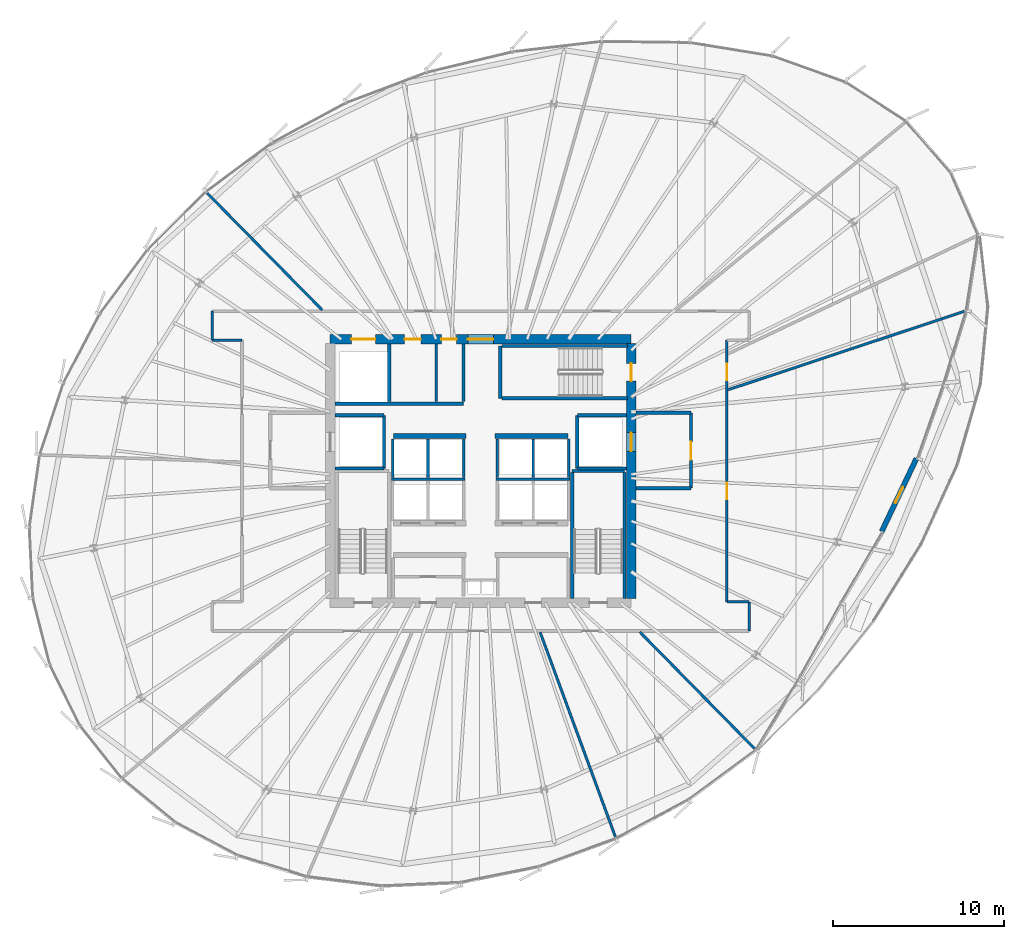
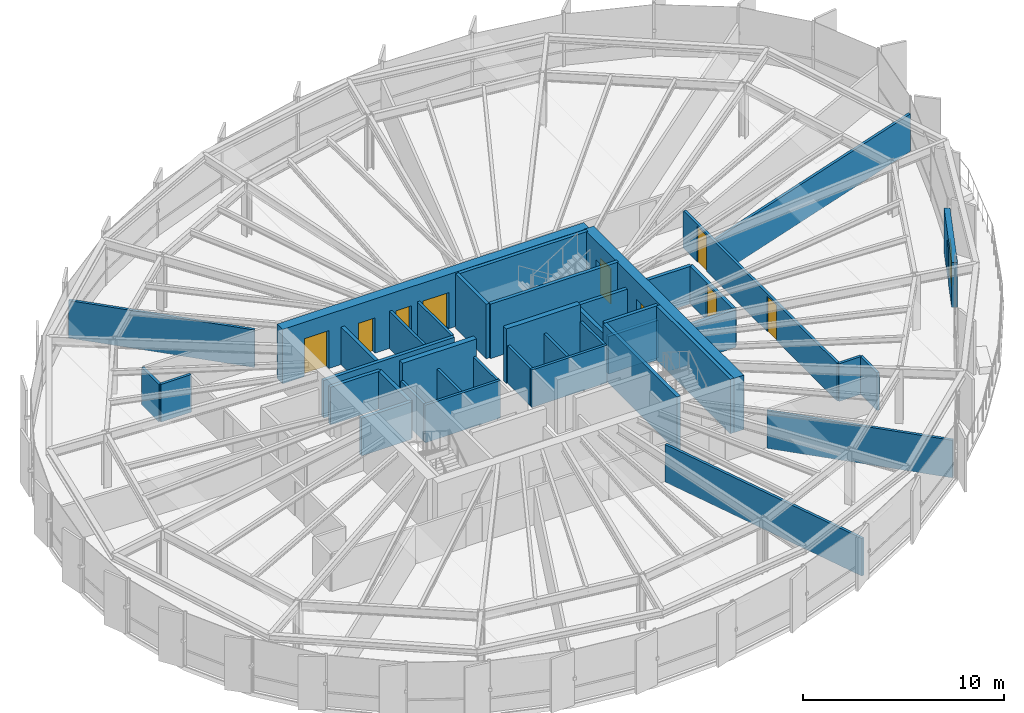
# One storey, part 31 of 36: 41 walls, 10 doors, 10 openings.
"""IFC4 building model written with IfcOpenShell, lengths in metres."""

import ifcopenshell
import ifcopenshell.guid

model = None  # the IFC model being written
_history = None  # IfcOwnerHistory: only IFC2X3 demands one
_inside = {}  # id of a spatial element -> (the spatial element, [elements in it])
_under = {}  # id of a project, library or spatial element -> (it, [spatial elements below it])
_declared = {}  # id of a project -> (the project, [libraries it declares])
_typed = {}  # id of a type object -> (the type object, [elements of that type])
_made_of = {}  # id of a material, layer set ... -> (it, [elements and type objects made of it])


def new_model(schema):
    """Start an empty IFC model of exactly this schema.

    Asked for "IFC4X3", IfcOpenShell would pick the latest addendum, in which some entities
    have other attributes; the version numbers below select the first issue.
    IFC2X3 requires an IfcOwnerHistory on every rooted entity: one is made here for all.
    """
    global model, _history
    if schema == "IFC4X3":
        model = ifcopenshell.file(schema_version=(4, 3, 0, 0))
    else:
        model = ifcopenshell.file(schema=schema)
    _inside.clear()
    _under.clear()
    _declared.clear()
    _typed.clear()
    _made_of.clear()
    _history = None
    if model.schema == "IFC2X3":
        org = make("IfcOrganization", Name="unknown")
        user = make(
            "IfcPersonAndOrganization",
            ThePerson=make("IfcPerson", FamilyName="unknown"),
            TheOrganization=org,
        )
        app = make(
            "IfcApplication",
            ApplicationDeveloper=org,
            Version="unknown",
            ApplicationFullName="unknown",
            ApplicationIdentifier="unknown",
        )
        _history = make(
            "IfcOwnerHistory",
            OwningUser=user,
            OwningApplication=app,
            ChangeAction="ADDED",
            CreationDate=0,
        )
    return model


def make(cls, **values):
    """One entity of the class cls with the attributes given. An attribute that is None is left unset."""
    return model.create_entity(
        cls, **{name: value for name, value in values.items() if value is not None}
    )


def rooted(cls, **values):
    """An entity with a GlobalId (a new one), such as an element, a storey or a relation."""
    return make(cls, GlobalId=ifcopenshell.guid.new(), OwnerHistory=_history, **values)


def si_unit(unit_type, name, prefix=None):
    """IfcSIUnit, for example si_unit("LENGTHUNIT", "METRE", prefix="MILLI")."""
    return make("IfcSIUnit", UnitType=unit_type, Prefix=prefix, Name=name)


def assignment(units):
    """IfcUnitAssignment: the units of a project."""
    return None if units is None else make("IfcUnitAssignment", Units=units)


def point(xyz):
    """IfcCartesianPoint."""
    return None if xyz is None else make("IfcCartesianPoint", Coordinates=xyz)


def direction(xyz):
    """IfcDirection."""
    return None if xyz is None else make("IfcDirection", DirectionRatios=xyz)


def frame(location, z_axis=None, x_axis=None):
    """IfcAxis2Placement3D, a coordinate frame: its origin and axes. An axis left out is left unset."""
    return make(
        "IfcAxis2Placement3D",
        Location=point(location),
        Axis=direction(z_axis),
        RefDirection=direction(x_axis),
    )


def frame_2d(location, x_axis=None):
    """IfcAxis2Placement2D, a coordinate frame in the plane: its origin and x axis."""
    return make(
        "IfcAxis2Placement2D", Location=point(location), RefDirection=direction(x_axis)
    )


def origin():
    """The frame at (0, 0, 0) with its axes left unset."""
    return frame((0.0, 0.0, 0.0))


def place(relative_to, where):
    """IfcLocalPlacement: puts the frame where relative to a parent placement (None: the world)."""
    return make(
        "IfcLocalPlacement", PlacementRelTo=relative_to, RelativePlacement=where
    )


def context(
    kind, dimensions, precision=None, world=None, true_north=None, identifier=None
):
    """IfcGeometricRepresentationContext, for example the 3D "Model" context."""
    return make(
        "IfcGeometricRepresentationContext",
        ContextIdentifier=identifier,
        ContextType=kind,
        CoordinateSpaceDimension=dimensions,
        Precision=precision,
        WorldCoordinateSystem=world,
        TrueNorth=true_north,
    )


def subcontext(parent, identifier, kind, view, scale=None):
    """IfcGeometricRepresentationSubContext, for example "Body" below "Model"."""
    return make(
        "IfcGeometricRepresentationSubContext",
        ContextIdentifier=identifier,
        ContextType=kind,
        ParentContext=parent,
        TargetScale=scale,
        TargetView=view,
    )


def project(units=None, contexts=None):
    """IfcProject with its units and contexts."""
    return rooted(
        "IfcProject",
        Name="project",
        RepresentationContexts=contexts,
        UnitsInContext=assignment(units),
    )


def spatial(cls, under=None, at=None, **own):
    """A site, building, storey or space (cls), placed at a placement, below another one or the project."""
    s = rooted(cls, ObjectPlacement=at, **own)
    if under is not None:
        _under.setdefault(under.id(), (under, []))[1].append(s)
    return s


def profile(cls, at=None, kind="AREA", **sizes):
    """A parametric profile (cls). Its sizes go by their IFC names, for example OverallWidth=200.0."""
    return make(cls, ProfileType=kind, Position=at, **sizes)


def rectangle(**sizes):
    """IfcRectangleProfileDef."""
    return profile("IfcRectangleProfileDef", **sizes)


def extrude(swept, where, along, depth):
    """IfcExtrudedAreaSolid: the profile swept, set in the frame where, extruded along a direction by depth."""
    return make(
        "IfcExtrudedAreaSolid",
        SweptArea=swept,
        Position=where,
        ExtrudedDirection=direction(along),
        Depth=depth,
    )


def shape(context_of_items, identifier, shape_type, items):
    """IfcShapeRepresentation: the items that make up one representation, for example the "Body"."""
    return make(
        "IfcShapeRepresentation",
        ContextOfItems=context_of_items,
        RepresentationIdentifier=identifier,
        RepresentationType=shape_type,
        Items=items,
    )


def source(mapping_origin, context_of_items, identifier, shape_type, items):
    """IfcRepresentationMap: a shape defined once, which mapped items show again and again."""
    return make(
        "IfcRepresentationMap",
        MappingOrigin=mapping_origin,
        MappedRepresentation=shape(context_of_items, identifier, shape_type, items),
    )


def transform(
    local_origin,
    x_axis=None,
    y_axis=None,
    z_axis=None,
    scale=None,
    scale2=None,
    scale3=None,
    uniform=True,
):
    """IfcCartesianTransformationOperator3D, or its non-uniform kind. x_axis, y_axis, z_axis: its Axis1, 2, 3."""
    if uniform:
        return make(
            "IfcCartesianTransformationOperator3D",
            Axis1=direction(x_axis),
            Axis2=direction(y_axis),
            LocalOrigin=point(local_origin),
            Scale=scale,
            Axis3=direction(z_axis),
        )
    return make(
        "IfcCartesianTransformationOperator3DnonUniform",
        Axis1=direction(x_axis),
        Axis2=direction(y_axis),
        LocalOrigin=point(local_origin),
        Scale=scale,
        Axis3=direction(z_axis),
        Scale2=scale2,
        Scale3=scale3,
    )


def mapped(mapping_source, mapping_target):
    """IfcMappedItem: shows the shape of a source again, moved by a transform."""
    return make(
        "IfcMappedItem", MappingSource=mapping_source, MappingTarget=mapping_target
    )


def material(Name=None, Category=None):
    """IfcMaterial."""
    return make("IfcMaterial", Name=Name, Category=Category)


def layer(
    of_material, thickness, ventilated=None, Name=None, Category=None, Priority=None
):
    """IfcMaterialLayer: one layer of a wall or slab, of a material (None: an air gap)."""
    return make(
        "IfcMaterialLayer",
        Material=of_material,
        LayerThickness=thickness,
        IsVentilated=ventilated,
        Name=Name,
        Category=Category,
        Priority=Priority,
    )


def layer_set(layers, Name=None):
    """IfcMaterialLayerSet."""
    return make("IfcMaterialLayerSet", MaterialLayers=layers, LayerSetName=Name)


def made_of(thing, what):
    """Note that an element or type object is made of a material, layer set ...; save() writes the relation."""
    if what is not None:
        _made_of.setdefault(what.id(), (what, []))[1].append(thing)
    return thing


def type_object(cls, material=None, **own):
    """A type object (cls), such as IfcWallType, which elements share."""
    return made_of(rooted(cls, **own), material)


def element(
    cls,
    number,
    at=None,
    inside=None,
    cuts=None,
    type_object=None,
    material=None,
    context=None,
    identifier="Body",
    shape_type=None,
    held_by="IfcProductDefinitionShape",
    body=None,
    shapes=None,
    **own,
):
    """One element of the class cls, such as IfcWall. Its Tag is "e" and its number.

    at: its placement. inside: the storey or other place that contains it. cuts: it is an
    opening in that element (IfcRelVoidsElement). A single representation is given by context,
    identifier, shape_type and body (its items); several are given by shapes. held_by: the class
    of the entity that holds the representations. save() writes the other relations.
    """
    e = rooted(cls, Tag="e%d" % number, ObjectPlacement=at, **own)
    if body is not None:
        shapes = [shape(context, identifier, shape_type, body)]
    if shapes is not None:
        e.Representation = make(held_by, Representations=shapes)
    if inside is not None:
        _inside.setdefault(inside.id(), (inside, []))[1].append(e)
    if cuts is not None:
        rooted(
            "IfcRelVoidsElement", RelatingBuildingElement=cuts, RelatedOpeningElement=e
        )
    if type_object is not None:
        _typed.setdefault(type_object.id(), (type_object, []))[1].append(e)
    return made_of(e, material)


def fill(opening, filler):
    """IfcRelFillsElement: the door or window that sits in an opening."""
    return rooted(
        "IfcRelFillsElement",
        RelatingOpeningElement=opening,
        RelatedBuildingElement=filler,
    )


def aggregate(whole, parts):
    """IfcRelAggregates: a whole, such as a stair, and the parts it consists of."""
    return rooted("IfcRelAggregates", RelatingObject=whole, RelatedObjects=parts)


def save(model, path):
    """Write the relations noted so far, then the file.

    IfcRelAggregates (storeys below a building ...), IfcRelContainedInSpatialStructure (elements
    in a storey), IfcRelDefinesByType, IfcRelAssociatesMaterial and IfcRelDeclares: one each for
    every whole, place, type object, material and project.
    """
    for whole, parts in _under.values():
        aggregate(whole, parts)
    for where, things in _inside.values():
        rooted(
            "IfcRelContainedInSpatialStructure",
            RelatedElements=things,
            RelatingStructure=where,
        )
    for kind, things in _typed.values():
        rooted("IfcRelDefinesByType", RelatedObjects=things, RelatingType=kind)
    for what, things in _made_of.values():
        rooted("IfcRelAssociatesMaterial", RelatedObjects=things, RelatingMaterial=what)
    for by, libraries in _declared.values():
        rooted("IfcRelDeclares", RelatingContext=by, RelatedDefinitions=libraries)
    model.write(path)


model = new_model("IFC4")

# Units and contexts
model_context = context("Model", 3, precision=1e-05, world=origin(), true_north=direction((0.0, 1.0)))
body_context = subcontext(model_context, "Body", "Model", "MODEL_VIEW")
ifc_project = project(units=[si_unit("LENGTHUNIT", "METRE"), si_unit("AREAUNIT", "SQUARE_METRE"), si_unit("VOLUMEUNIT", "CUBIC_METRE"), si_unit("PLANEANGLEUNIT", "RADIAN"), si_unit("MASSUNIT", "GRAM", prefix="KILO"), si_unit("THERMODYNAMICTEMPERATUREUNIT", "KELVIN")], contexts=[model_context])

# Site, building, storey
site_placement = place(None, origin())
site = spatial("IfcSite", under=ifc_project, at=site_placement, CompositionType="ELEMENT")
building_placement = place(site_placement, origin())
building = spatial("IfcBuilding", under=site, at=building_placement, Name="Kethvar Cultural Tower", CompositionType="ELEMENT")
storey_placement = place(building_placement, frame((0.0, 0.0, 164.300048828125)))
storey = spatial("IfcBuildingStorey", under=building, at=storey_placement, Name="L42", CompositionType="ELEMENT", Elevation=164.300048828125)

# Wall, openings, doors
ifc_material_1 = material(Name="Concrete C60/75", Category="concrete")
ifc_layer_1 = layer(ifc_material_1, 0.550048828125, Name="Concrete C60/75", Category="concrete")
ifc_layer_set_1 = layer_set([ifc_layer_1], Name="Concrete C60/75 (550 mm)")
wall_type_1 = type_object("IfcWallType", Name="WL-CORE-550", PredefinedType="SHEAR", material=ifc_layer_set_1)
wall_1_placement = place(storey_placement, frame((55.60009765625, 35.5, 0.0), z_axis=(0.0, 0.0, 1.0), x_axis=(-1.0, 0.0, 0.0)))
wall_1 = element("IfcWall", 1, at=wall_1_placement, inside=storey, type_object=wall_type_1, Name="L42 Core Shear Wall N", PredefinedType="SHEAR", context=body_context, shape_type="SweptSolid", body=[
    extrude(rectangle(XDim=17.60009765625, YDim=0.550048828125, at=frame_2d((8.800048828125, 0.0))), origin(), (0.0, 0.0, 1.0), 3.300048828125),
])
opening_1_placement = place(wall_1_placement, frame((8.050048828125, 0.0, 0.0)))
opening_1 = element("IfcOpeningElement", 2, at=opening_1_placement, cuts=wall_1, Name="Opening D-L42-LN", PredefinedType="OPENING", context=body_context, shape_type="SweptSolid", body=[
    extrude(rectangle(XDim=1.5, YDim=2.199951171875, at=frame_2d((0.75, 1.10009765625))), frame((0.0, 0.284912109375, 0.0), z_axis=(0.0, -1.0, 0.0), x_axis=(1.0, 0.0, 0.0)), (0.0, 0.0, 1.0), 0.570068359375),
])
opening_2_placement = place(wall_1_placement, frame((14.949951171875, 0.0, 0.0)))
opening_2 = element("IfcOpeningElement", 3, at=opening_2_placement, cuts=wall_1, Name="Opening LD-G1", PredefinedType="OPENING", context=body_context, shape_type="SweptSolid", body=[
    extrude(rectangle(XDim=1.39990234375, YDim=2.300048828125, at=frame_2d((0.699951171875, 1.14990234375))), frame((0.0, 0.284912109375, 0.0), z_axis=(0.0, -1.0, 0.0), x_axis=(1.0, 0.0, 0.0)), (0.0, 0.0, 1.0), 0.570068359375),
])
opening_3_placement = place(wall_1_placement, frame((12.300048828125, 0.0, 0.0)))
opening_3 = element("IfcOpeningElement", 4, at=opening_3_placement, cuts=wall_1, Name="Opening D-L42-W1", PredefinedType="OPENING", context=body_context, shape_type="SweptSolid", body=[
    extrude(rectangle(XDim=0.949951171875, YDim=2.14990234375, at=frame_2d((0.47509765625, 1.074951171875))), frame((0.0, 0.284912109375, 0.0), z_axis=(0.0, -1.0, 0.0), x_axis=(1.0, 0.0, 0.0)), (0.0, 0.0, 1.0), 0.570068359375),
])
opening_4_placement = place(wall_1_placement, frame((10.199951171875, 0.0, 0.0)))
opening_4 = element("IfcOpeningElement", 5, at=opening_4_placement, cuts=wall_1, Name="Opening D-L42-W2", PredefinedType="OPENING", context=body_context, shape_type="SweptSolid", body=[
    extrude(rectangle(XDim=0.89990234375, YDim=2.14990234375, at=frame_2d((0.449951171875, 1.074951171875))), frame((0.0, 0.284912109375, 0.0), z_axis=(0.0, -1.0, 0.0), x_axis=(1.0, 0.0, 0.0)), (0.0, 0.0, 1.0), 0.570068359375),
])
ifc_material_2 = material(Name="Architectural Oak Timber", Category="wood")
door_type_1 = type_object("IfcDoorType", Name="DR-DBL-FD60-1500", OperationType="DOUBLE_DOOR_SINGLE_SWING", PredefinedType="DOOR", material=ifc_material_2)
shared_shape_1 = source(origin(), body_context, "Body", "SweptSolid", [
    extrude(rectangle(XDim=1.5, YDim=2.199951171875, at=frame_2d((0.75, 1.10009765625))), frame((0.0, 0.02490234375, 0.0), z_axis=(0.0, -1.0, 0.0), x_axis=(1.0, 0.0, 0.0)), (0.0, 0.0, 1.0), 0.050048828125),
])
door_1_placement = place(opening_1_placement, origin())
door_1 = element("IfcDoor", 6, at=door_1_placement, inside=storey, type_object=door_type_1, Name="L42 Lift Lobby Concourse Door", OperationType="DOUBLE_DOOR_SINGLE_SWING", OverallHeight=2.199951171875, OverallWidth=1.5, PredefinedType="DOOR", context=body_context, shape_type="MappedRepresentation", body=[
    mapped(shared_shape_1, transform((0.0, 0.0, 0.0), scale=1.0)),
])
fill(opening_1, door_1)
ifc_material_3 = material(Name="Steel S355J2", Category="steel")
door_type_2 = type_object("IfcDoorType", Name="DR-LIFT-SLIDE-1400", OperationType="NOTDEFINED", PredefinedType="DOOR", material=ifc_material_3)
shared_shape_2 = source(origin(), body_context, "Body", "SweptSolid", [
    extrude(rectangle(XDim=1.39990234375, YDim=2.300048828125, at=frame_2d((0.699951171875, 1.14990234375))), frame((0.0, 0.02490234375, 0.0), z_axis=(0.0, -1.0, 0.0), x_axis=(1.0, 0.0, 0.0)), (0.0, 0.0, 1.0), 0.050048828125),
])
door_2_placement = place(opening_2_placement, origin())
door_2 = element("IfcDoor", 7, at=door_2_placement, inside=storey, type_object=door_type_2, Name="L42 Goods Lift Landing Door", OperationType="SLIDING_TO_RIGHT", OverallHeight=2.300048828125, OverallWidth=1.39990234375, PredefinedType="DOOR", context=body_context, shape_type="MappedRepresentation", body=[
    mapped(shared_shape_2, transform((0.0, 0.0, 0.0), scale=1.0)),
])
fill(opening_2, door_2)
door_type_3 = type_object("IfcDoorType", Name="DR-FD30-950", OperationType="NOTDEFINED", PredefinedType="DOOR", material=ifc_material_2)
shared_shape_3 = source(origin(), body_context, "Body", "SweptSolid", [
    extrude(rectangle(XDim=0.949951171875, YDim=2.14990234375, at=frame_2d((0.47509765625, 1.074951171875))), frame((0.0, 0.02490234375, 0.0), z_axis=(0.0, -1.0, 0.0), x_axis=(1.0, 0.0, 0.0)), (0.0, 0.0, 1.0), 0.050048828125),
])
door_3_placement = place(opening_3_placement, origin())
door_3 = element("IfcDoor", 8, at=door_3_placement, inside=storey, type_object=door_type_3, Name="L42 Public Washroom Door", OperationType="SINGLE_SWING_LEFT", OverallHeight=2.14990234375, OverallWidth=0.949951171875, PredefinedType="DOOR", context=body_context, shape_type="MappedRepresentation", body=[
    mapped(shared_shape_3, transform((0.0, 0.0, 0.0), scale=1.0)),
])
fill(opening_3, door_3)
door_type_4 = type_object("IfcDoorType", Name="DR-FD30-900", OperationType="NOTDEFINED", PredefinedType="DOOR", material=ifc_material_2)
shared_shape_4 = source(origin(), body_context, "Body", "SweptSolid", [
    extrude(rectangle(XDim=0.89990234375, YDim=2.14990234375, at=frame_2d((0.449951171875, 1.074951171875))), frame((0.0, 0.02490234375, 0.0), z_axis=(0.0, -1.0, 0.0), x_axis=(1.0, 0.0, 0.0)), (0.0, 0.0, 1.0), 0.050048828125),
])
door_4_placement = place(opening_4_placement, origin())
door_4 = element("IfcDoor", 9, at=door_4_placement, inside=storey, type_object=door_type_4, Name="L42 Accessible Washroom Door", OperationType="SINGLE_SWING_RIGHT", OverallHeight=2.14990234375, OverallWidth=0.89990234375, PredefinedType="DOOR", context=body_context, shape_type="MappedRepresentation", body=[
    mapped(shared_shape_4, transform((0.0, 0.0, 0.0), scale=1.0)),
])
fill(opening_4, door_4)

wall_2_placement = place(storey_placement, frame((55.60009765625, 20.340087890625, 0.0), z_axis=(0.0, 0.0, 1.0), x_axis=(0.0, 1.0, 0.0)))
wall_2 = element("IfcWall", 10, at=wall_2_placement, inside=storey, type_object=wall_type_1, Name="L42 Core Shear Wall E", PredefinedType="SHEAR", context=body_context, shape_type="SweptSolid", body=[
    extrude(rectangle(XDim=14.919921875, YDim=0.550048828125, at=frame_2d((7.4599609375, 0.0))), origin(), (0.0, 0.0, 1.0), 3.300048828125),
])
opening_5_placement = place(wall_2_placement, frame((12.7099609375, 0.0, 0.0)))
opening_5 = element("IfcOpeningElement", 11, at=opening_5_placement, cuts=wall_2, Name="Opening D-L42-S3", PredefinedType="OPENING", context=body_context, shape_type="SweptSolid", body=[
    extrude(rectangle(XDim=1.050048828125, YDim=2.14990234375, at=frame_2d((0.52490234375, 1.074951171875))), frame((0.0, 0.284912109375, 0.0), z_axis=(0.0, -1.0, 0.0), x_axis=(1.0, 0.0, 0.0)), (0.0, 0.0, 1.0), 0.570068359375),
])
opening_6_placement = place(wall_2_placement, frame((8.610107421875, 0.0, 0.0)))
opening_6 = element("IfcOpeningElement", 12, at=opening_6_placement, cuts=wall_2, Name="Opening LD-2", PredefinedType="OPENING", context=body_context, shape_type="SweptSolid", body=[
    extrude(rectangle(XDim=1.10009765625, YDim=2.199951171875, at=frame_2d((0.550048828125, 1.10009765625))), frame((0.0, 0.284912109375, 0.0), z_axis=(0.0, -1.0, 0.0), x_axis=(1.0, 0.0, 0.0)), (0.0, 0.0, 1.0), 0.570068359375),
])
door_type_5 = type_object("IfcDoorType", Name="DR-FD60-1050", OperationType="NOTDEFINED", PredefinedType="DOOR", material=ifc_material_3)
shared_shape_5 = source(origin(), body_context, "Body", "SweptSolid", [
    extrude(rectangle(XDim=1.050048828125, YDim=2.14990234375, at=frame_2d((0.52490234375, 1.074951171875))), frame((0.0, 0.02490234375, 0.0), z_axis=(0.0, -1.0, 0.0), x_axis=(1.0, 0.0, 0.0)), (0.0, 0.0, 1.0), 0.050048828125),
])
door_5_placement = place(opening_5_placement, origin())
door_5 = element("IfcDoor", 13, at=door_5_placement, inside=storey, type_object=door_type_5, Name="L42 Exit Stair 3 Door", OperationType="SINGLE_SWING_LEFT", OverallHeight=2.14990234375, OverallWidth=1.050048828125, PredefinedType="DOOR", context=body_context, shape_type="MappedRepresentation", body=[
    mapped(shared_shape_5, transform((0.0, 0.0, 0.0), scale=1.0)),
])
fill(opening_5, door_5)
door_type_6 = type_object("IfcDoorType", Name="DR-LIFT-SLIDE-1100", OperationType="NOTDEFINED", PredefinedType="DOOR", material=ifc_material_3)
shared_shape_6 = source(origin(), body_context, "Body", "SweptSolid", [
    extrude(rectangle(XDim=1.10009765625, YDim=2.199951171875, at=frame_2d((0.550048828125, 1.10009765625))), frame((0.0, 0.02490234375, 0.0), z_axis=(0.0, -1.0, 0.0), x_axis=(1.0, 0.0, 0.0)), (0.0, 0.0, 1.0), 0.050048828125),
])
door_6_placement = place(opening_6_placement, origin())
door_6 = element("IfcDoor", 14, at=door_6_placement, inside=storey, type_object=door_type_6, Name="L42 Firefighting Lift Landing Door FFL-02", OperationType="SLIDING_TO_RIGHT", OverallHeight=2.199951171875, OverallWidth=1.10009765625, PredefinedType="DOOR", context=body_context, shape_type="MappedRepresentation", body=[
    mapped(shared_shape_6, transform((0.0, 0.0, 0.0), scale=1.0)),
])
fill(opening_6, door_6)

# Wall, opening, door
ifc_material_4 = material(Name="Concrete C40/50", Category="concrete")
ifc_layer_2 = layer(ifc_material_4, 0.300048828125, Name="Concrete C40/50", Category="concrete")
ifc_layer_set_2 = layer_set([ifc_layer_2], Name="Concrete C40/50 (300 mm)")
wall_type_2 = type_object("IfcWallType", Name="WL-EXT-TER-300", PredefinedType="SOLIDWALL", material=ifc_layer_set_2)
wall_3_placement = place(storey_placement, frame((72.279541015625, 28.54150390625, 0.0), z_axis=(0.0, 0.0, 1.0), x_axis=(-0.429923593324, -0.902865274503, 0.0)))
wall_3 = element("IfcWall", 15, at=wall_3_placement, inside=storey, type_object=wall_type_2, Name="L42 Sky Terrace Access Wall", PredefinedType="SOLIDWALL", context=body_context, shape_type="SweptSolid", body=[
    extrude(rectangle(XDim=4.74462890625, YDim=0.300048828125, at=frame_2d((2.372314453125, 0.0))), origin(), (0.0, 0.0, 1.0), 2.724853515625),
])
opening_7_placement = place(wall_3_placement, frame((1.847412109375, 0.0, 0.0)))
opening_7 = element("IfcOpeningElement", 16, at=opening_7_placement, cuts=wall_3, Name="Opening D-L42-T1", PredefinedType="OPENING", context=body_context, shape_type="SweptSolid", body=[
    extrude(rectangle(XDim=1.050048828125, YDim=2.199951171875, at=frame_2d((0.52490234375, 1.10009765625))), frame((0.0, 0.159912109375, 0.0), z_axis=(0.0, -1.0, 0.0), x_axis=(1.0, 0.0, 0.0)), (0.0, 0.0, 1.0), 0.320068359375),
])
ifc_material_5 = material(Name="Aluminium 6063-T6", Category="aluminium")
door_type_7 = type_object("IfcDoorType", Name="DR-EXT-TER-1050", OperationType="NOTDEFINED", PredefinedType="DOOR", material=ifc_material_5)
shared_shape_7 = source(origin(), body_context, "Body", "SweptSolid", [
    extrude(rectangle(XDim=1.050048828125, YDim=2.199951171875, at=frame_2d((0.52490234375, 1.10009765625))), frame((0.0, 0.02490234375, 0.0), z_axis=(0.0, -1.0, 0.0), x_axis=(1.0, 0.0, 0.0)), (0.0, 0.0, 1.0), 0.050048828125),
])
door_7_placement = place(opening_7_placement, origin())
door_7 = element("IfcDoor", 17, at=door_7_placement, inside=storey, type_object=door_type_7, Name="L42 Sky Terrace Access Door D-L42-T1", OperationType="SINGLE_SWING_LEFT", OverallHeight=2.199951171875, OverallWidth=1.050048828125, PredefinedType="DOOR", context=body_context, shape_type="MappedRepresentation", body=[
    mapped(shared_shape_7, transform((0.0, 0.0, 0.0), scale=1.0)),
])
fill(opening_7, door_7)

# Walls
ifc_material_6 = material(Name="Gypsum Fireboard Partition")
ifc_layer_3 = layer(ifc_material_6, 0.14990234375, Name="Gypsum Fireboard Partition")
ifc_layer_set_3 = layer_set([ifc_layer_3], Name="Gypsum Fireboard Partition (150 mm)")
wall_type_3 = type_object("IfcWallType", Name="WL-FIRE-150", PredefinedType="PARTITIONING", material=ifc_layer_set_3)
wall_4_placement = place(storey_placement, frame((41.580078125, 27.324951171875, 0.0), z_axis=(0.0, 0.0, 1.0), x_axis=(1.0, 0.0, 0.0)))
element("IfcWall", 18, at=wall_4_placement, inside=storey, type_object=wall_type_3, Name="L42 Mid-High Lift Shaft Back Wall W", PredefinedType="PARTITIONING", context=body_context, shape_type="SweptSolid", body=[
    extrude(rectangle(XDim=4.31982421875, YDim=0.14990234375, at=frame_2d((2.159912109375, 0.0))), origin(), (0.0, 0.0, 1.0), 2.280029296875),
])
wall_5_placement = place(storey_placement, frame((47.699951171875, 27.324951171875, 0.0), z_axis=(0.0, 0.0, 1.0), x_axis=(1.0, 0.0, 0.0)))
element("IfcWall", 19, at=wall_5_placement, inside=storey, type_object=wall_type_3, Name="L42 Mid-High Lift Shaft Back Wall E", PredefinedType="PARTITIONING", context=body_context, shape_type="SweptSolid", body=[
    extrude(rectangle(XDim=4.320068359375, YDim=0.14990234375, at=frame_2d((2.16015625, 0.0))), origin(), (0.0, 0.0, 1.0), 2.280029296875),
])
for number, where, z_axis, x_axis, name in (
    (20, (41.64990234375, 27.409912109375, 0.0), (0.0, 0.0, 1.0), (0.0, 1.0, 0.0), "L42 High-Rise Lift Shaft Outer Wall W"),
    (21, (43.72509765625, 27.409912109375, 0.0), (0.0, 0.0, 1.0), (0.0, 1.0, 0.0), "L42 High-Rise Lift Shaft Divider W"),
    (22, (45.824951171875, 27.409912109375, 0.0), (0.0, 0.0, 1.0), (0.0, 1.0, 0.0), "L42 High-Rise Lift Shaft Concourse Wall W"),
    (23, (47.77490234375, 27.409912109375, 0.0), (0.0, 0.0, 1.0), (0.0, 1.0, 0.0), "L42 High-Rise Lift Shaft Concourse Wall E"),
    (24, (49.875, 27.409912109375, 0.0), (0.0, 0.0, 1.0), (0.0, 1.0, 0.0), "L42 High-Rise Lift Shaft Divider E"),
    (25, (51.949951171875, 27.409912109375, 0.0), (0.0, 0.0, 1.0), (0.0, 1.0, 0.0), "L42 High-Rise Lift Shaft Outer Wall E"),
):
    element("IfcWall", number, at=place(storey_placement, frame(where, z_axis=z_axis, x_axis=x_axis)), inside=storey, type_object=wall_type_3, Name=name, PredefinedType="PARTITIONING", context=body_context, shape_type="SweptSolid", body=[
        extrude(rectangle(XDim=2.27001953125, YDim=0.14990234375, at=frame_2d((1.135009765625, 0.0))), origin(), (0.0, 0.0, 1.0), 2.280029296875),
    ])
wall_6_placement = place(storey_placement, frame((45.800048828125, 31.85009765625, 0.0), z_axis=(0.0, 0.0, 1.0), x_axis=(0.0, 1.0, 0.0)))
element("IfcWall", 26, at=wall_6_placement, inside=storey, type_object=wall_type_3, Name="L42 Sanitary Spine Wall", PredefinedType="PARTITIONING", context=body_context, shape_type="SweptSolid", body=[
    extrude(rectangle(XDim=3.364990234375, YDim=0.14990234375, at=frame_2d((1.6826171875, 0.0))), origin(), (0.0, 0.0, 1.0), 2.280029296875),
])
wall_7_placement = place(storey_placement, frame((62.5, 18.449951171875, 0.0), z_axis=(0.0, 0.0, 1.0), x_axis=(0.0, 1.0, 0.0)))
element("IfcWall", 27, at=wall_7_placement, inside=storey, type_object=wall_type_3, Name="L42 Corridor Rated Wall ES", PredefinedType="PARTITIONING", context=body_context, shape_type="SweptSolid", body=[
    extrude(rectangle(XDim=1.699951171875, YDim=0.14990234375, at=frame_2d((0.85009765625, 0.0))), origin(), (0.0, 0.0, 1.0), 2.280029296875),
])
wall_8_placement = place(storey_placement, frame((62.5, 20.14990234375, 0.0), z_axis=(0.0, 0.0, 1.0), x_axis=(-1.0, 0.0, 0.0)))
element("IfcWall", 28, at=wall_8_placement, inside=storey, type_object=wall_type_3, Name="L42 Corridor Rated Wall EST", PredefinedType="PARTITIONING", context=body_context, shape_type="SweptSolid", body=[
    extrude(rectangle(XDim=1.300048828125, YDim=0.14990234375, at=frame_2d((0.64990234375, 0.0))), origin(), (0.0, 0.0, 1.0), 2.280029296875),
])

# Wall, openings, doors
wall_9_placement = place(storey_placement, frame((61.199951171875, 20.14990234375, 0.0), z_axis=(0.0, 0.0, 1.0), x_axis=(0.0, 1.0, 0.0)))
wall_9 = element("IfcWall", 29, at=wall_9_placement, inside=storey, type_object=wall_type_3, Name="L42 Corridor Rated Wall EM", PredefinedType="PARTITIONING", context=body_context, shape_type="SweptSolid", body=[
    extrude(rectangle(XDim=15.300048828125, YDim=0.14990234375, at=frame_2d((7.64990234375, 0.0))), origin(), (0.0, 0.0, 1.0), 2.280029296875),
])
opening_8_placement = place(wall_9_placement, frame((6.01171875, 0.0, 0.0)))
opening_8 = element("IfcOpeningElement", 30, at=opening_8_placement, cuts=wall_9, Name="Opening D-L42-04", PredefinedType="OPENING", context=body_context, shape_type="SweptSolid", body=[
    extrude(rectangle(XDim=0.949951171875, YDim=2.14990234375, at=frame_2d((0.47509765625, 1.074951171875))), frame((0.0, 0.0849609375, 0.0), z_axis=(0.0, -1.0, 0.0), x_axis=(1.0, 0.0, 0.0)), (0.0, 0.0, 1.0), 0.169921875),
])
opening_9_placement = place(wall_9_placement, frame((12.965087890625, 0.0, 0.0)))
opening_9 = element("IfcOpeningElement", 31, at=opening_9_placement, cuts=wall_9, Name="Opening D-L42-05", PredefinedType="OPENING", context=body_context, shape_type="SweptSolid", body=[
    extrude(rectangle(XDim=0.949951171875, YDim=2.14990234375, at=frame_2d((0.47509765625, 1.074951171875))), frame((0.0, 0.0849609375, 0.0), z_axis=(0.0, -1.0, 0.0), x_axis=(1.0, 0.0, 0.0)), (0.0, 0.0, 1.0), 0.169921875),
])
door_8_placement = place(opening_8_placement, origin())
door_8 = element("IfcDoor", 32, at=door_8_placement, inside=storey, type_object=door_type_3, Name="L42 Policy Research Workspace 04 Door", OperationType="SINGLE_SWING_RIGHT", OverallHeight=2.14990234375, OverallWidth=0.949951171875, PredefinedType="DOOR", context=body_context, shape_type="MappedRepresentation", body=[
    mapped(shared_shape_3, transform((0.0, 0.0, 0.0), scale=1.0)),
])
fill(opening_8, door_8)
door_9_placement = place(opening_9_placement, origin())
door_9 = element("IfcDoor", 33, at=door_9_placement, inside=storey, type_object=door_type_3, Name="L42 Museum Design Book Shop 05 Door", OperationType="SINGLE_SWING_LEFT", OverallHeight=2.14990234375, OverallWidth=0.949951171875, PredefinedType="DOOR", context=body_context, shape_type="MappedRepresentation", body=[
    mapped(shared_shape_3, transform((0.0, 0.0, 0.0), scale=1.0)),
])
fill(opening_9, door_9)

# Walls
wall_10_placement = place(storey_placement, frame((31.10009765625, 37.14990234375, 0.0), z_axis=(0.0, 0.0, 1.0), x_axis=(0.0, -1.0, 0.0)))
element("IfcWall", 34, at=wall_10_placement, inside=storey, type_object=wall_type_3, Name="L42 Corridor Rated Wall WN", PredefinedType="PARTITIONING", context=body_context, shape_type="SweptSolid", body=[
    extrude(rectangle(XDim=1.699951171875, YDim=0.14990234375, at=frame_2d((0.85009765625, 0.0))), origin(), (0.0, 0.0, 1.0), 2.280029296875),
])
wall_11_placement = place(storey_placement, frame((31.10009765625, 35.449951171875, 0.0), z_axis=(0.0, 0.0, 1.0), x_axis=(1.0, 0.0, 0.0)))
element("IfcWall", 35, at=wall_11_placement, inside=storey, type_object=wall_type_3, Name="L42 Corridor Rated Wall WNT", PredefinedType="PARTITIONING", context=body_context, shape_type="SweptSolid", body=[
    extrude(rectangle(XDim=1.75, YDim=0.14990234375, at=frame_2d((0.875, 0.0))), origin(), (0.0, 0.0, 1.0), 2.280029296875),
])
ifc_layer_4 = layer(ifc_material_4, 0.199951171875, Name="Concrete C40/50", Category="concrete")
ifc_layer_set_4 = layer_set([ifc_layer_4], Name="Concrete C40/50 (200 mm)")
wall_type_4 = type_object("IfcWallType", Name="WL-FIRE-200", PredefinedType="PARTITIONING", material=ifc_layer_set_4)
wall_12_placement = place(storey_placement, frame((41.14990234375, 27.949951171875, 0.0), z_axis=(0.0, 0.0, 1.0), x_axis=(0.0, 1.0, 0.0)))
element("IfcWall", 36, at=wall_12_placement, inside=storey, type_object=wall_type_4, Name="L42 FFL-01 Shaft Inner Wall", PredefinedType="PARTITIONING", context=body_context, shape_type="SweptSolid", body=[
    extrude(rectangle(XDim=3.10009765625, YDim=0.199951171875, at=frame_2d((1.550048828125, 0.0))), origin(), (0.0, 0.0, 1.0), 2.280029296875),
])
for number, where, z_axis, x_axis, name in (
    (37, (38.284912109375, 27.949951171875, 0.0), (0.0, 0.0, 1.0), (1.0, 0.0, 0.0), "L42 FFL-01 Shaft South Wall"),
    (38, (38.284912109375, 31.050048828125, 0.0), (0.0, 0.0, 1.0), (1.0, 0.0, 0.0), "L42 FFL-01 Shaft North Wall"),
):
    element("IfcWall", number, at=place(storey_placement, frame(where, z_axis=z_axis, x_axis=x_axis)), inside=storey, type_object=wall_type_4, Name=name, PredefinedType="PARTITIONING", context=body_context, shape_type="SweptSolid", body=[
        extrude(rectangle(XDim=2.864990234375, YDim=0.199951171875, at=frame_2d((1.4326171875, 0.0))), origin(), (0.0, 0.0, 1.0), 2.280029296875),
    ])
wall_13_placement = place(storey_placement, frame((52.449951171875, 27.949951171875, 0.0), z_axis=(0.0, 0.0, 1.0), x_axis=(0.0, 1.0, 0.0)))
element("IfcWall", 39, at=wall_13_placement, inside=storey, type_object=wall_type_4, Name="L42 FFL-02 Shaft Inner Wall", PredefinedType="PARTITIONING", context=body_context, shape_type="SweptSolid", body=[
    extrude(rectangle(XDim=3.10009765625, YDim=0.199951171875, at=frame_2d((1.550048828125, 0.0))), origin(), (0.0, 0.0, 1.0), 2.280029296875),
])
for number, where, z_axis, x_axis, name in (
    (40, (52.449951171875, 27.949951171875, 0.0), (0.0, 0.0, 1.0), (1.0, 0.0, 0.0), "L42 FFL-02 Shaft South Wall"),
    (41, (52.449951171875, 31.050048828125, 0.0), (0.0, 0.0, 1.0), (1.0, 0.0, 0.0), "L42 FFL-02 Shaft North Wall"),
):
    element("IfcWall", number, at=place(storey_placement, frame(where, z_axis=z_axis, x_axis=x_axis)), inside=storey, type_object=wall_type_4, Name=name, PredefinedType="PARTITIONING", context=body_context, shape_type="SweptSolid", body=[
        extrude(rectangle(XDim=2.864990234375, YDim=0.199951171875, at=frame_2d((1.4326171875, 0.0))), origin(), (0.0, 0.0, 1.0), 2.280029296875),
    ])

# Wall, opening, door
wall_14_placement = place(storey_placement, frame((59.10009765625, 26.800048828125, 0.0), z_axis=(0.0, 0.0, 1.0), x_axis=(0.0, 1.0, 0.0)))
wall_14 = element("IfcWall", 42, at=wall_14_placement, inside=storey, type_object=wall_type_4, Name="L42 Firefighting Lobby 2 Wall", PredefinedType="PARTITIONING", context=body_context, shape_type="SweptSolid", body=[
    extrude(rectangle(XDim=4.39990234375, YDim=0.199951171875, at=frame_2d((2.199951171875, 0.0))), origin(), (0.0, 0.0, 1.0), 2.280029296875),
])
opening_10_placement = place(wall_14_placement, frame((1.64990234375, 0.0, 0.0)))
opening_10 = element("IfcOpeningElement", 43, at=opening_10_placement, cuts=wall_14, Name="Opening D-L42-F2", PredefinedType="OPENING", context=body_context, shape_type="SweptSolid", body=[
    extrude(rectangle(XDim=1.050048828125, YDim=2.14990234375, at=frame_2d((0.52490234375, 1.074951171875))), frame((0.0, 0.10986328125, 0.0), z_axis=(0.0, -1.0, 0.0), x_axis=(1.0, 0.0, 0.0)), (0.0, 0.0, 1.0), 0.219970703125),
])
door_10_placement = place(opening_10_placement, origin())
door_10 = element("IfcDoor", 44, at=door_10_placement, inside=storey, type_object=door_type_5, Name="L42 Firefighting Lobby 2 Fire Door", OperationType="SINGLE_SWING_LEFT", OverallHeight=2.14990234375, OverallWidth=1.050048828125, PredefinedType="DOOR", context=body_context, shape_type="MappedRepresentation", body=[
    mapped(shared_shape_5, transform((0.0, 0.0, 0.0), scale=1.0)),
])
fill(opening_10, door_10)

# Walls
for number, where, z_axis, x_axis, name in (
    (45, (55.885009765625, 26.800048828125, 0.0), (0.0, 0.0, 1.0), (1.0, 0.0, 0.0), "L42 FF Lobby 2 South Wall"),
    (46, (55.885009765625, 31.199951171875, 0.0), (0.0, 0.0, 1.0), (1.0, 0.0, 0.0), "L42 FF Lobby 2 North Wall"),
):
    element("IfcWall", number, at=place(storey_placement, frame(where, z_axis=z_axis, x_axis=x_axis)), inside=storey, type_object=wall_type_4, Name=name, PredefinedType="PARTITIONING", context=body_context, shape_type="SweptSolid", body=[
        extrude(rectangle(XDim=3.215087890625, YDim=0.199951171875, at=frame_2d((1.607421875, 0.0))), origin(), (0.0, 0.0, 1.0), 2.280029296875),
    ])
wall_15_placement = place(storey_placement, frame((41.449951171875, 31.85009765625, 0.0), z_axis=(0.0, 0.0, 1.0), x_axis=(0.0, 1.0, 0.0)))
element("IfcWall", 47, at=wall_15_placement, inside=storey, type_object=wall_type_4, Name="L42 NW Core Pocket Wall", PredefinedType="PARTITIONING", context=body_context, shape_type="SweptSolid", body=[
    extrude(rectangle(XDim=3.364990234375, YDim=0.199951171875, at=frame_2d((1.6826171875, 0.0))), origin(), (0.0, 0.0, 1.0), 2.280029296875),
])
wall_16_placement = place(storey_placement, frame((38.284912109375, 31.72998046875, 0.0), z_axis=(0.0, 0.0, 1.0), x_axis=(1.0, 0.0, 0.0)))
element("IfcWall", 48, at=wall_16_placement, inside=storey, type_object=wall_type_4, Name="L42 North Core Sanitary South Wall", PredefinedType="PARTITIONING", context=body_context, shape_type="SweptSolid", body=[
    extrude(rectangle(XDim=7.51513671875, YDim=0.199951171875, at=frame_2d((3.757568359375, 0.0))), origin(), (0.0, 0.0, 1.0), 2.280029296875),
])
ifc_material_7 = material(Name="Gypsum Acoustic Partition")
ifc_layer_5 = layer(ifc_material_7, 0.14990234375, Name="Gypsum Acoustic Partition")
ifc_layer_set_5 = layer_set([ifc_layer_5], Name="Gypsum Acoustic Partition (150 mm)")
wall_type_5 = type_object("IfcWallType", Name="WL-PART-150", PredefinedType="PARTITIONING", material=ifc_layer_set_5)
wall_17_placement = place(storey_placement, frame((50.279052734375, 18.375, 0.0), z_axis=(0.0, 0.0, 1.0), x_axis=(0.345178614935, -0.938537012478, 0.0)))
element("IfcWall", 49, at=wall_17_placement, inside=storey, type_object=wall_type_5, Name="L42 Radial Partition Wall 03", PredefinedType="PARTITIONING", context=body_context, shape_type="SweptSolid", body=[
    extrude(rectangle(XDim=12.73828125, YDim=0.14990234375, at=frame_2d((6.369140625, 0.0))), origin(), (0.0, 0.0, 1.0), 2.280029296875),
])
wall_18_placement = place(storey_placement, frame((56.10400390625, 18.39306640625, 0.0), z_axis=(0.0, 0.0, 1.0), x_axis=(0.701253006268, -0.712912491965, 0.0)))
element("IfcWall", 50, at=wall_18_placement, inside=storey, type_object=wall_type_5, Name="L42 Radial Partition Wall 04", PredefinedType="PARTITIONING", context=body_context, shape_type="SweptSolid", body=[
    extrude(rectangle(XDim=9.5693359375, YDim=0.14990234375, at=frame_2d((4.78466796875, 0.0))), origin(), (0.0, 0.0, 1.0), 2.280029296875),
])
wall_19_placement = place(storey_placement, frame((61.27587890625, 32.5537109375, 0.0), z_axis=(0.0, 0.0, 1.0), x_axis=(0.949028521905, 0.315190203863, 0.0)))
element("IfcWall", 51, at=wall_19_placement, inside=storey, type_object=wall_type_5, Name="L42 Radial Partition Wall 05", PredefinedType="PARTITIONING", context=body_context, shape_type="SweptSolid", body=[
    extrude(rectangle(XDim=14.54443359375, YDim=0.14990234375, at=frame_2d((7.272216796875, 0.0))), origin(), (0.0, 0.0, 1.0), 2.280029296875),
])
wall_20_placement = place(storey_placement, frame((37.543212890625, 37.20703125, 0.0), z_axis=(0.0, 0.0, 1.0), x_axis=(-0.701353343618, 0.71281378171, 0.0)))
element("IfcWall", 52, at=wall_20_placement, inside=storey, type_object=wall_type_5, Name="L42 Radial Partition Wall 09", PredefinedType="PARTITIONING", context=body_context, shape_type="SweptSolid", body=[
    extrude(rectangle(XDim=9.58642578125, YDim=0.14990234375, at=frame_2d((4.793212890625, 0.0))), origin(), (0.0, 0.0, 1.0), 2.280029296875),
])
ifc_material_8 = material(Name="Moisture-Resistant Sanitary Chase Wall")
ifc_layer_6 = layer(ifc_material_8, 0.14990234375, Name="Moisture-Resistant Sanitary Chase Wall")
ifc_layer_set_6 = layer_set([ifc_layer_6], Name="Moisture-Resistant Sanitary Chase Wall (150 mm)")
wall_type_6 = type_object("IfcWallType", Name="WL-PLUMB-150", PredefinedType="PLUMBINGWALL", material=ifc_layer_set_6)
wall_21_placement = place(storey_placement, frame((44.199951171875, 31.85009765625, 0.0), z_axis=(0.0, 0.0, 1.0), x_axis=(0.0, 1.0, 0.0)))
element("IfcWall", 53, at=wall_21_placement, inside=storey, type_object=wall_type_6, Name="L42 Sanitary Plumbing Wall", PredefinedType="PLUMBINGWALL", context=body_context, shape_type="SweptSolid", body=[
    extrude(rectangle(XDim=3.364990234375, YDim=0.14990234375, at=frame_2d((1.6826171875, 0.0))), origin(), (0.0, 0.0, 1.0), 2.280029296875),
])
ifc_material_9 = material(Name="Concrete C50/60", Category="concrete")
ifc_layer_7 = layer(ifc_material_9, 0.300048828125, Name="Concrete C50/60", Category="concrete")
ifc_layer_set_7 = layer_set([ifc_layer_7], Name="Concrete C50/60 (300 mm)")
wall_type_7 = type_object("IfcWallType", Name="WL-SHAFT-300", PredefinedType="SHEAR", material=ifc_layer_set_7)
for number, where, z_axis, x_axis, name in (
    (54, (41.699951171875, 29.85009765625, 0.0), (0.0, 0.0, 1.0), (1.0, 0.0, 0.0), "L42 Core Lift Spine Wall MID3W"),
    (55, (47.64990234375, 29.85009765625, 0.0), (0.0, 0.0, 1.0), (1.0, 0.0, 0.0), "L42 Core Lift Spine Wall MID3E"),
):
    element("IfcWall", number, at=place(storey_placement, frame(where, z_axis=z_axis, x_axis=x_axis)), inside=storey, type_object=wall_type_7, Name=name, PredefinedType="SHEAR", context=body_context, shape_type="SweptSolid", body=[
        extrude(rectangle(XDim=4.25, YDim=0.300048828125, at=frame_2d((2.125, 0.0))), origin(), (0.0, 0.0, 1.0), 3.300048828125),
    ])
ifc_layer_8 = layer(ifc_material_9, 0.199951171875, Name="Concrete C50/60", Category="concrete")
ifc_layer_set_8 = layer_set([ifc_layer_8], Name="Concrete C50/60 (200 mm)")
wall_type_8 = type_object("IfcWallType", Name="WL-STSHAFT-200", PredefinedType="SHEAR", material=ifc_layer_set_8)
wall_22_placement = place(storey_placement, frame((52.14990234375, 27.800048828125, 0.0), z_axis=(0.0, 0.0, 1.0), x_axis=(1.0, 0.0, 0.0)))
element("IfcWall", 56, at=wall_22_placement, inside=storey, type_object=wall_type_8, Name="L42 ST-02 Stair Shaft Wall FAR", PredefinedType="SHEAR", context=body_context, shape_type="SweptSolid", body=[
    extrude(rectangle(XDim=3.06005859375, YDim=0.199951171875, at=frame_2d((1.530029296875, 0.0))), origin(), (0.0, 0.0, 1.0), 3.300048828125),
])
for number, where, z_axis, x_axis, name in (
    (57, (55.2099609375, 27.699951171875, 0.0), (0.0, 0.0, 1.0), (0.0, -1.0, 0.0), "L42 ST-02 Stair Shaft Wall LEFT"),
    (58, (52.14990234375, 20.35009765625, 0.0), (0.0, 0.0, 1.0), (0.0, 1.0, 0.0), "L42 ST-02 Stair Shaft Wall RIGHT"),
):
    element("IfcWall", number, at=place(storey_placement, frame(where, z_axis=z_axis, x_axis=x_axis)), inside=storey, type_object=wall_type_8, Name=name, PredefinedType="SHEAR", context=body_context, shape_type="SweptSolid", body=[
        extrude(rectangle(XDim=7.349853515625, YDim=0.199951171875, at=frame_2d((3.6748046875, 0.0))), origin(), (0.0, 0.0, 1.0), 3.300048828125),
    ])
wall_23_placement = place(storey_placement, frame((47.949951171875, 32.050048828125, 0.0), z_axis=(0.0, 0.0, 1.0), x_axis=(0.0, 1.0, 0.0)))
element("IfcWall", 59, at=wall_23_placement, inside=storey, type_object=wall_type_8, Name="L42 ST-03 Stair Shaft Wall FAR", PredefinedType="SHEAR", context=body_context, shape_type="SweptSolid", body=[
    extrude(rectangle(XDim=3.06005859375, YDim=0.199951171875, at=frame_2d((1.530029296875, 0.0))), origin(), (0.0, 0.0, 1.0), 3.300048828125),
])
for number, where, z_axis, x_axis, name in (
    (60, (48.050048828125, 35.110107421875, 0.0), (0.0, 0.0, 1.0), (1.0, 0.0, 0.0), "L42 ST-03 Stair Shaft Wall LEFT"),
    (61, (55.39990234375, 32.050048828125, 0.0), (0.0, 0.0, 1.0), (-1.0, 0.0, 0.0), "L42 ST-03 Stair Shaft Wall RIGHT"),
):
    element("IfcWall", number, at=place(storey_placement, frame(where, z_axis=z_axis, x_axis=x_axis)), inside=storey, type_object=wall_type_8, Name=name, PredefinedType="SHEAR", context=body_context, shape_type="SweptSolid", body=[
        extrude(rectangle(XDim=7.349853515625, YDim=0.199951171875, at=frame_2d((3.6748046875, 0.0))), origin(), (0.0, 0.0, 1.0), 3.300048828125),
    ])

save(model, "model.ifc")
